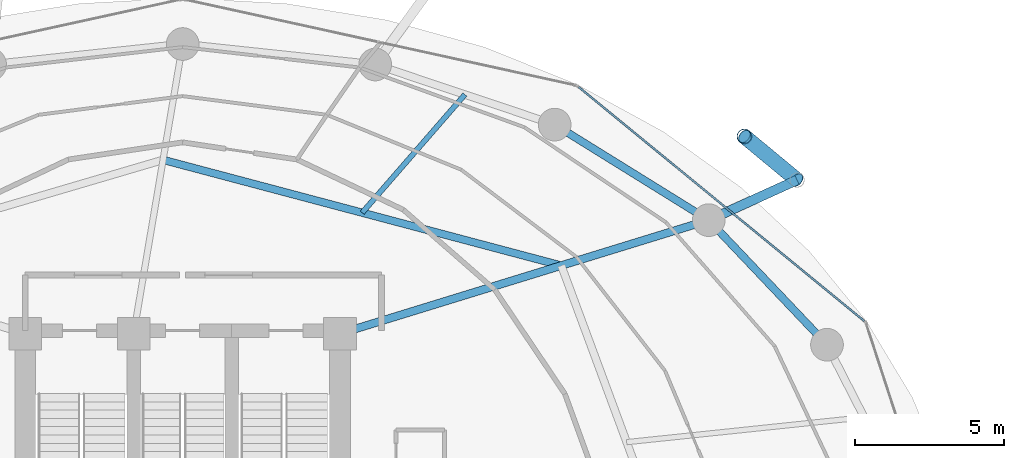
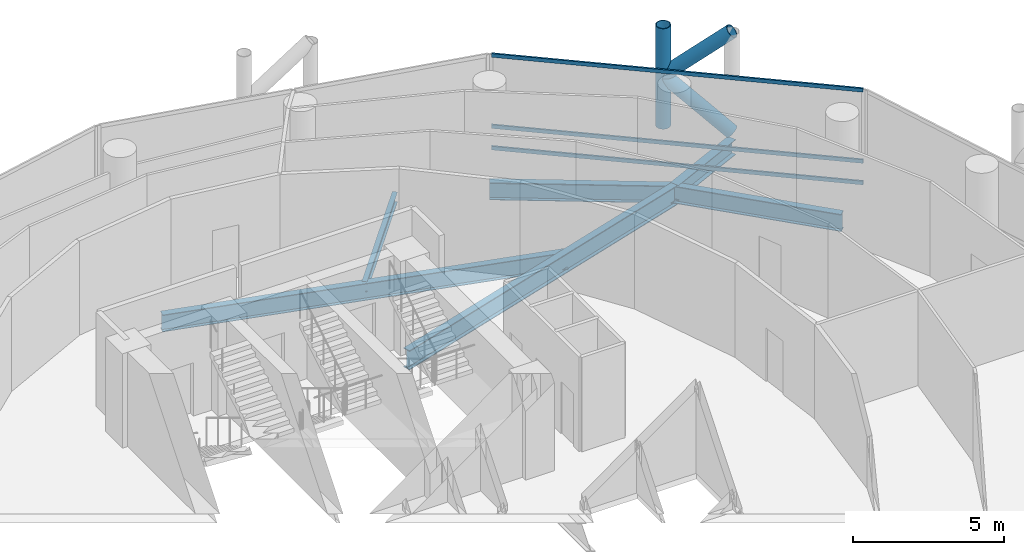
# One storey, part 17 of 26: 6 beams, 6 members, 1 element without a shape of its own.
"""IFC4 building model written with IfcOpenShell, lengths in metres."""

from ifc_helpers import new_model, si_unit, direction, frame, origin, origin_2d, place, context, subcontext, project, spatial, hollow_rectangle, hollow_circle, i_section, extrude, material, layer, layer_set, material_profile, profile_set, type_object, element, aggregate, save


model = new_model("IFC4")

# Units and contexts
model_context = context("Model", 3, precision=1e-05, world=origin(), true_north=direction((0.0, 1.0)))
body_context = subcontext(model_context, "Body", "Model", "MODEL_VIEW")
ifc_project = project(units=[si_unit("LENGTHUNIT", "METRE"), si_unit("AREAUNIT", "SQUARE_METRE"), si_unit("VOLUMEUNIT", "CUBIC_METRE"), si_unit("PLANEANGLEUNIT", "RADIAN"), si_unit("MASSUNIT", "GRAM", prefix="KILO")], contexts=[model_context])

# Site, building, storey
site_placement = place(None, origin())
site = spatial("IfcSite", under=ifc_project, at=site_placement, CompositionType="ELEMENT")
building_placement = place(site_placement, origin())
building = spatial("IfcBuilding", under=site, at=building_placement, Name="Nuhasar Tower", CompositionType="ELEMENT")
storey_placement = place(building_placement, frame((0.0, 0.0, 97.949951171875)))
storey = spatial("IfcBuildingStorey", under=building, at=storey_placement, Name="L23", CompositionType="ELEMENT", Elevation=97.949951171875)

# Beams
ifc_material_1 = material(Name="Steel S355", Category="steel")
ifc_material_profile_1 = material_profile(ifc_material_1, i_section(OverallWidth=0.25390625, OverallDepth=0.68408203125, WebThickness=0.012451171875, FlangeThickness=0.018798828125, at=origin_2d()), Name="W27X94")
ifc_profile_set_1 = profile_set([ifc_material_profile_1], Name="Steel S355")
beam_type_1 = type_object("IfcBeamType", Name="BM-INRING-W27X94", PredefinedType="BEAM", material=ifc_profile_set_1)
beam_1_placement = place(storey_placement, frame((51.748046875, 39.591064453125, -0.592041015625), z_axis=(-0.96653253005, 0.256544086574, 0.0), x_axis=(-0.256544086574, -0.96653253005, 0.0)))
element("IfcBeam", 1, at=beam_1_placement, inside=storey, type_object=beam_type_1, Name="L23 Inner Header Beam 05", PredefinedType="BEAM", context=body_context, shape_type="SweptSolid", body=[
    extrude(i_section(OverallWidth=0.25390625, OverallDepth=0.68408203125, WebThickness=0.012451171875, FlangeThickness=0.018798828125, at=origin_2d()), origin(), (0.0, 0.0, 1.0), 13.872314453125),
])
ifc_material_profile_2 = material_profile(ifc_material_1, i_section(OverallWidth=0.177978515625, OverallDepth=0.406005859375, WebThickness=0.0078125, FlangeThickness=0.0126953125, at=origin_2d()), Name="W16X40")
ifc_profile_set_2 = profile_set([ifc_material_profile_2], Name="Steel S355")
beam_type_2 = type_object("IfcBeamType", Name="BM-JST-W16X40", PredefinedType="JOIST", material=ifc_profile_set_2)
beam_2_placement = place(storey_placement, frame((45.0439453125, 41.3701171875, -0.452880859375), z_axis=(0.656174129694, 0.754609509296, 0.0), x_axis=(-0.754609509296, 0.656174129694, 0.0)))
element("IfcBeam", 2, at=beam_2_placement, inside=storey, type_object=beam_type_2, Name="L23 Secondary Floor Joist 05", PredefinedType="JOIST", context=body_context, shape_type="SweptSolid", body=[
    extrude(i_section(OverallWidth=0.177978515625, OverallDepth=0.406005859375, WebThickness=0.0078125, FlangeThickness=0.0126953125, at=origin_2d()), origin(), (0.0, 0.0, 1.0), 5.27294921875),
])
ifc_material_profile_3 = material_profile(ifc_material_1, i_section(OverallWidth=0.26611328125, OverallDepth=0.779052734375, WebThickness=0.0166015625, FlangeThickness=0.030029296875, at=origin_2d()), Name="W30X148")
ifc_profile_set_3 = profile_set([ifc_material_profile_3], Name="Steel S355")
beam_type_3 = type_object("IfcBeamType", Name="BM-RAD-W30X148", PredefinedType="BEAM", material=ifc_profile_set_3)
beam_3_placement = place(storey_placement, frame((44.300048828125, 37.300048828125, -0.638916015625), z_axis=(0.955789576103, 0.294051502653, 0.0), x_axis=(-0.294051502653, 0.955789576103, 0.0)))
element("IfcBeam", 3, at=beam_3_placement, inside=storey, type_object=beam_type_3, Name="L23 Radial Floor Girder 05", PredefinedType="BEAM", context=body_context, shape_type="SweptSolid", body=[
    extrude(i_section(OverallWidth=0.26611328125, OverallDepth=0.779052734375, WebThickness=0.0166015625, FlangeThickness=0.030029296875, at=origin_2d()), origin(), (0.0, 0.0, 1.0), 12.987060546875),
])
ifc_material_profile_4 = material_profile(ifc_material_1, i_section(OverallWidth=0.256103515625, OverallDepth=0.693115234375, WebThickness=0.014404296875, FlangeThickness=0.023681640625, at=origin_2d()), Name="W27X114")
ifc_profile_set_4 = profile_set([ifc_material_profile_4], Name="Steel S355")
beam_type_4 = type_object("IfcBeamType", Name="BM-RING-W27X114", PredefinedType="SPANDREL", material=ifc_profile_set_4)
beam_4_placement = place(storey_placement, frame((60.694091796875, 36.925048828125, -0.596923828125), z_axis=(-0.688480893507, 0.725254478976, 0.0), x_axis=(-0.725254478976, -0.688480893507, 0.0)))
element("IfcBeam", 4, at=beam_4_placement, inside=storey, type_object=beam_type_4, Name="L23 Perimeter Ring Spandrel 03", PredefinedType="SPANDREL", context=body_context, shape_type="SweptSolid", body=[
    extrude(i_section(OverallWidth=0.256103515625, OverallDepth=0.693115234375, WebThickness=0.014404296875, FlangeThickness=0.023681640625, at=origin_2d()), origin(), (0.0, 0.0, 1.0), 5.782470703125),
])
beam_5_placement = place(storey_placement, frame((56.712890625, 41.118896484375, -0.596923828125), z_axis=(-0.849795216549, 0.527112976439, 0.0), x_axis=(-0.527112976439, -0.849795216549, 0.0)))
element("IfcBeam", 5, at=beam_5_placement, inside=storey, type_object=beam_type_4, Name="L23 Perimeter Ring Spandrel 04", PredefinedType="SPANDREL", context=body_context, shape_type="SweptSolid", body=[
    extrude(i_section(OverallWidth=0.256103515625, OverallDepth=0.693115234375, WebThickness=0.014404296875, FlangeThickness=0.023681640625, at=origin_2d()), origin(), (0.0, 0.0, 1.0), 6.10498046875),
])
ifc_material_profile_5 = material_profile(ifc_material_1, i_section(OverallWidth=0.323974609375, OverallDepth=0.611083984375, WebThickness=0.0126953125, FlangeThickness=0.01904296875, at=origin_2d()), Name="W24X104")
ifc_profile_set_5 = profile_set([ifc_material_profile_5], Name="Steel S355")
beam_type_5 = type_object("IfcBeamType", Name="BM-TIE-W24X104", PredefinedType="BEAM", material=ifc_profile_set_5)
beam_6_placement = place(storey_placement, frame((56.712890625, 41.118896484375, -0.554931640625), z_axis=(0.910243528587, 0.414073325227, 0.0), x_axis=(-0.414073325227, 0.910243528587, 0.0)))
element("IfcBeam", 6, at=beam_6_placement, inside=storey, type_object=beam_type_5, Name="L23 Exoskeleton Node Tie Beam 02", PredefinedType="BEAM", context=body_context, shape_type="SweptSolid", body=[
    extrude(i_section(OverallWidth=0.323974609375, OverallDepth=0.611083984375, WebThickness=0.0126953125, FlangeThickness=0.01904296875, at=origin_2d()), origin(), (0.0, 0.0, 1.0), 3.26513671875),
])

# Curtain wall, members
ifc_material_2 = material(Name="Aluminium 6063-T6", Category="aluminium")
ifc_layer = layer(ifc_material_2, 0.199951171875)
ifc_layer_set = layer_set([ifc_layer], Name="Aluminium 6063-T6")
curtain_wall_type = type_object("IfcCurtainWallType", Name="CW-Z1-OFF", PredefinedType="NOTDEFINED", material=ifc_layer_set)
curtain_wall_placement = place(storey_placement, origin())
curtain_wall = element("IfcCurtainWall", 7, at=curtain_wall_placement, inside=storey, type_object=curtain_wall_type, Name="L23 Unitised Curtain Wall 02", PredefinedType="NOTDEFINED")
ifc_material_profile_6 = material_profile(ifc_material_2, hollow_rectangle(XDim=0.06494140625, YDim=0.14990234375, WallThickness=0.00439453125, at=origin_2d()), Name="CWT-2")
ifc_profile_set_6 = profile_set([ifc_material_profile_6], Name="Aluminium 6063-T6")
member_type_1 = type_object("IfcMemberType", Name="CW-TRN-S2", PredefinedType="USERDEFINED", material=ifc_profile_set_6)
member_1_placement = place(storey_placement, frame((61.95166015625, 37.72119140625, 0.032470703125), z_axis=(-0.773540851599, 0.633746440548, 0.0), x_axis=(-0.633746440548, -0.773540851599, 0.0)))
member_1 = element("IfcMember", 8, at=member_1_placement, type_object=member_type_1, Name="CW-Z1 transom 1.1", ObjectType="TRANSOM", PredefinedType="USERDEFINED", context=body_context, shape_type="SweptSolid", body=[
    extrude(hollow_rectangle(XDim=0.06494140625, YDim=0.14990234375, WallThickness=0.00439453125, at=origin_2d()), origin(), (0.0, 0.0, 1.0), 12.43798828125),
])
member_2_placement = place(storey_placement, frame((61.95166015625, 37.72119140625, 0.900146484375), z_axis=(-0.773540851599, 0.633746440548, 0.0), x_axis=(-0.633746440548, -0.773540851599, 0.0)))
member_2 = element("IfcMember", 9, at=member_2_placement, type_object=member_type_1, Name="CW-Z1 transom 1.2", ObjectType="TRANSOM", PredefinedType="USERDEFINED", context=body_context, shape_type="SweptSolid", body=[
    extrude(hollow_rectangle(XDim=0.06494140625, YDim=0.14990234375, WallThickness=0.00439453125, at=origin_2d()), origin(), (0.0, 0.0, 1.0), 12.43798828125),
])
member_3_placement = place(storey_placement, frame((61.95166015625, 37.72119140625, 3.767578125), z_axis=(-0.773540851599, 0.633746440548, 0.0), x_axis=(-0.633746440548, -0.773540851599, 0.0)))
member_3 = element("IfcMember", 10, at=member_3_placement, type_object=member_type_1, Name="CW-Z1 transom 1.3", ObjectType="TRANSOM", PredefinedType="USERDEFINED", context=body_context, shape_type="SweptSolid", body=[
    extrude(hollow_rectangle(XDim=0.06494140625, YDim=0.14990234375, WallThickness=0.00439453125, at=origin_2d()), origin(), (0.0, 0.0, 1.0), 12.43798828125),
])
aggregate(curtain_wall, [member_1, member_2, member_3])

# Members
ifc_material_3 = material(Name="Steel S460", Category="steel")
ifc_material_profile_7 = material_profile(ifc_material_3, hollow_circle(Radius=0.25390625, WallThickness=0.025390625, at=origin_2d()), Name="HSS508X25.4")
ifc_profile_set_7 = profile_set([ifc_material_profile_7], Name="Steel S460")
member_type_2 = type_object("IfcMemberType", Name="EXO-BRONZE-508", PredefinedType="BRACE", material=ifc_profile_set_7)
member_4_placement = place(storey_placement, frame((57.9130859375, 43.93896484375, 0.0), z_axis=(0.0, 0.0, 1.0), x_axis=(1.0, 0.0, 0.0)))
element("IfcMember", 11, at=member_4_placement, inside=storey, type_object=member_type_2, Name="L23 Exoskeleton Chord Column EC-02B", PredefinedType="BRACE", context=body_context, shape_type="SweptSolid", body=[
    extrude(hollow_circle(Radius=0.25390625, WallThickness=0.025390625, at=origin_2d()), origin(), (0.0, 0.0, 1.0), 4.050048828125),
])
member_5_placement = place(storey_placement, frame((59.68505859375, 42.470947265625, 0.0), z_axis=(-0.578071194894, 0.478911834514, 0.660664172175), x_axis=(-0.637969333506, -0.770061769929, 0.0)))
element("IfcMember", 12, at=member_5_placement, inside=storey, type_object=member_type_2, Name="L23 Bronze Diagrid Brace W1-02", PredefinedType="BRACE", context=body_context, shape_type="SweptSolid", body=[
    extrude(hollow_circle(Radius=0.25390625, WallThickness=0.025390625, at=origin_2d()), origin(), (0.0, 0.0, 1.0), 3.0654296875),
])
member_6_placement = place(storey_placement, frame((57.9130859375, 43.93896484375, 2.025146484375), z_axis=(0.578101613167, -0.478937034992, 0.660619286251), x_axis=(0.637969333506, 0.770061769929, 0.0)))
element("IfcMember", 13, at=member_6_placement, inside=storey, type_object=member_type_2, Name="L23 Bronze Diagrid Brace W2-02", PredefinedType="BRACE", context=body_context, shape_type="SweptSolid", body=[
    extrude(hollow_circle(Radius=0.25390625, WallThickness=0.025390625, at=origin_2d()), origin(), (0.0, 0.0, 1.0), 3.065185546875),
])

save(model, "model.ifc")
